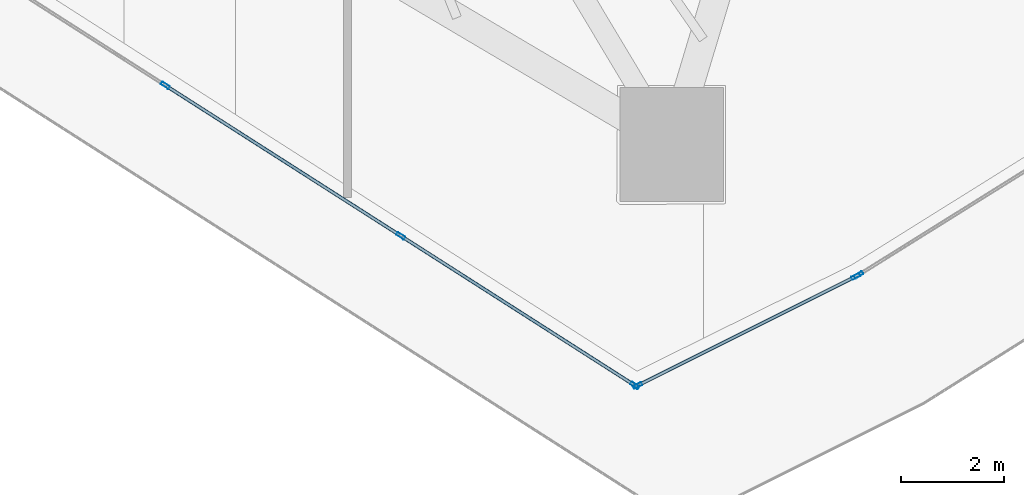
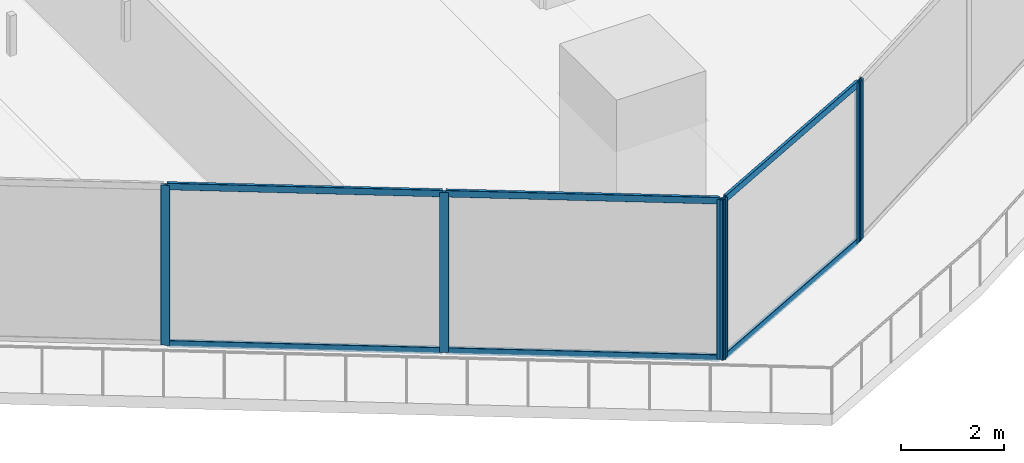
# One storey, part 7 of 38: 12 members, 3 elements without a shape of their own.
"""IFC4 building model written with IfcOpenShell, lengths in metres."""

from ifc_helpers import new_model, si_unit, direction, frame, origin, origin_2d, place, context, subcontext, project, spatial, hollow_rectangle, extrude, material, layer, layer_set, material_profile, profile_set, type_object, element, aggregate, save


model = new_model("IFC4")

# Units and contexts
model_context = context("Model", 3, precision=1e-05, world=origin(), true_north=direction((0.0, 1.0)))
body_context = subcontext(model_context, "Body", "Model", "MODEL_VIEW")
ifc_project = project(units=[si_unit("LENGTHUNIT", "METRE"), si_unit("AREAUNIT", "SQUARE_METRE"), si_unit("VOLUMEUNIT", "CUBIC_METRE"), si_unit("PLANEANGLEUNIT", "RADIAN"), si_unit("MASSUNIT", "GRAM", prefix="KILO")], contexts=[model_context])

# Site, building, storey
site_placement = place(None, origin())
site = spatial("IfcSite", under=ifc_project, at=site_placement, CompositionType="ELEMENT")
building_placement = place(site_placement, origin())
building = spatial("IfcBuilding", under=site, at=building_placement, Name="Qorvath Tower", CompositionType="ELEMENT")
storey_placement = place(building_placement, frame((0.0, 0.0, 146.25)))
storey = spatial("IfcBuildingStorey", under=building, at=storey_placement, Name="L33", CompositionType="ELEMENT", Elevation=146.25)

# Curtain wall, members
ifc_material_1 = material(Name="Anodised aluminium and triple low-E glass", Category="aluminium")
ifc_layer = layer(ifc_material_1, 0.179931640625)
ifc_layer_set = layer_set([ifc_layer], Name="CW-SYS-3")
curtain_wall_type = type_object("IfcCurtainWallType", Name="CW-SYS-3", PredefinedType="NOTDEFINED", material=ifc_layer_set)
curtain_wall_1_placement = place(storey_placement, origin())
curtain_wall_1 = element("IfcCurtainWall", 1, at=curtain_wall_1_placement, inside=storey, type_object=curtain_wall_type, Name="Curtain Wall CW-3 CW-T-L33-2.1", PredefinedType="NOTDEFINED")
ifc_material_2 = material(Name="Anodised aluminium 6063-T6", Category="aluminium")
ifc_material_profile_1 = material_profile(ifc_material_2, hollow_rectangle(XDim=0.06494140625, YDim=0.179931640625, WallThickness=0.00341796875, InnerFilletRadius=0.00341796875, OuterFilletRadius=0.007080078125, at=origin_2d()), Name="CWM 180x65")
ifc_profile_set_1 = profile_set([ifc_material_profile_1], Name="Anodised aluminium 6063-T6")
member_type_1 = type_object("IfcMemberType", Name="CWM-180", PredefinedType="MULLION", material=ifc_profile_set_1)
member_1_placement = place(storey_placement, frame((-25.12939453125, -24.099365234375, 0.0), z_axis=(0.0, 0.0, 1.0), x_axis=(0.53853296968, 0.842604438967, 0.0)))
member_1 = element("IfcMember", 2, at=member_1_placement, type_object=member_type_1, Name="CW-3 mullion 8", PredefinedType="MULLION", context=body_context, shape_type="SweptSolid", body=[
    extrude(hollow_rectangle(XDim=0.06494140625, YDim=0.179931640625, WallThickness=0.00341796875, InnerFilletRadius=0.00341796875, OuterFilletRadius=0.007080078125, at=origin_2d()), origin(), (0.0, 0.0, 1.0), 3.780029296875),
])
member_2_placement = place(storey_placement, frame((-20.57861328125, -27.008056640625, 0.0), z_axis=(0.0, 0.0, 1.0), x_axis=(0.53853296968, 0.842604438967, 0.0)))
member_2 = element("IfcMember", 3, at=member_2_placement, type_object=member_type_1, Name="CW-3 mullion 9", PredefinedType="MULLION", context=body_context, shape_type="SweptSolid", body=[
    extrude(hollow_rectangle(XDim=0.06494140625, YDim=0.179931640625, WallThickness=0.00341796875, InnerFilletRadius=0.00341796875, OuterFilletRadius=0.007080078125, at=origin_2d()), origin(), (0.0, 0.0, 1.0), 3.780029296875),
])
member_3_placement = place(storey_placement, frame((-16.05517578125, -29.89892578125, 0.0), z_axis=(0.0, 0.0, 1.0), x_axis=(0.53853296968, 0.842604438967, 0.0)))
member_3 = element("IfcMember", 4, at=member_3_placement, type_object=member_type_1, Name="CW-3 mullion 10", PredefinedType="MULLION", context=body_context, shape_type="SweptSolid", body=[
    extrude(hollow_rectangle(XDim=0.06494140625, YDim=0.179931640625, WallThickness=0.00341796875, InnerFilletRadius=0.00341796875, OuterFilletRadius=0.007080078125, at=origin_2d()), origin(), (0.0, 0.0, 1.0), 3.780029296875),
])

curtain_wall_2_placement = place(storey_placement, origin())
curtain_wall_2 = element("IfcCurtainWall", 5, at=curtain_wall_2_placement, inside=storey, type_object=curtain_wall_type, Name="Curtain Wall CW-3 CW-T-L33-3.1", PredefinedType="NOTDEFINED")
member_4_placement = place(storey_placement, frame((-15.998779296875, -29.90185546875, 0.0), z_axis=(0.0, 0.0, 1.0), x_axis=(-0.447171738712, 0.89444811817, 0.0)))
member_4 = element("IfcMember", 6, at=member_4_placement, type_object=member_type_1, Name="CW-3 mullion 1", PredefinedType="MULLION", context=body_context, shape_type="SweptSolid", body=[
    extrude(hollow_rectangle(XDim=0.06494140625, YDim=0.179931640625, WallThickness=0.00341796875, InnerFilletRadius=0.00341796875, OuterFilletRadius=0.007080078125, at=origin_2d()), origin(), (0.0, 0.0, 1.0), 3.780029296875),
])
member_5_placement = place(storey_placement, frame((-11.782958984375, -27.79443359375, 0.0), z_axis=(0.0, 0.0, 1.0), x_axis=(-0.447171738712, 0.89444811817, 0.0)))
member_5 = element("IfcMember", 7, at=member_5_placement, type_object=member_type_1, Name="CW-3 mullion 2", PredefinedType="MULLION", context=body_context, shape_type="SweptSolid", body=[
    extrude(hollow_rectangle(XDim=0.06494140625, YDim=0.179931640625, WallThickness=0.00341796875, InnerFilletRadius=0.00341796875, OuterFilletRadius=0.007080078125, at=origin_2d()), origin(), (0.0, 0.0, 1.0), 3.780029296875),
])

# Curtain wall, member
curtain_wall_3_placement = place(storey_placement, origin())
curtain_wall_3 = element("IfcCurtainWall", 8, at=curtain_wall_3_placement, inside=storey, type_object=curtain_wall_type, Name="Curtain Wall CW-3 CW-T-L33-4.1", PredefinedType="NOTDEFINED")
member_6_placement = place(storey_placement, frame((-11.726318359375, -27.7626953125, 0.0), z_axis=(0.0, 0.0, 1.0), x_axis=(-0.529441480387, 0.848346461563, 0.0)))
member_6 = element("IfcMember", 9, at=member_6_placement, type_object=member_type_1, Name="CW-3 mullion 1", PredefinedType="MULLION", context=body_context, shape_type="SweptSolid", body=[
    extrude(hollow_rectangle(XDim=0.06494140625, YDim=0.179931640625, WallThickness=0.00341796875, InnerFilletRadius=0.00341796875, OuterFilletRadius=0.007080078125, at=origin_2d()), origin(), (0.0, 0.0, 1.0), 3.780029296875),
])
aggregate(curtain_wall_3, [member_6])

# Member
ifc_material_3 = material(Name="Anodised aluminium 6063-T6", Category="aluminium")
ifc_material_profile_2 = material_profile(ifc_material_3, hollow_rectangle(XDim=0.06494140625, YDim=0.159912109375, WallThickness=0.00341796875, InnerFilletRadius=0.00341796875, OuterFilletRadius=0.007080078125, at=origin_2d()), Name="CWT 160x65")
ifc_profile_set_2 = profile_set([ifc_material_profile_2], Name="Anodised aluminium 6063-T6")
member_type_2 = type_object("IfcMemberType", Name="CWT-160", PredefinedType="USERDEFINED", material=ifc_profile_set_2)
member_7_placement = place(storey_placement, frame((-25.10205078125, -24.116943359375, 0.032470703125), z_axis=(0.842608601225, -0.538526457234, 0.0), x_axis=(0.538526457234, 0.842608601225, 0.0)))
member_7 = element("IfcMember", 10, at=member_7_placement, type_object=member_type_2, Name="CW-3 transom 8.1", ObjectType="TRANSOM", PredefinedType="USERDEFINED", context=body_context, shape_type="SweptSolid", body=[
    extrude(hollow_rectangle(XDim=0.06494140625, YDim=0.159912109375, WallThickness=0.00341796875, InnerFilletRadius=0.00341796875, OuterFilletRadius=0.007080078125, at=origin_2d()), origin(), (0.0, 0.0, 1.0), 5.3359375),
])

member_8_placement = place(storey_placement, frame((-25.10205078125, -24.116943359375, 3.74755859375), z_axis=(0.842608601225, -0.538526457234, 0.0), x_axis=(0.538526457234, 0.842608601225, 0.0)))
member_8 = element("IfcMember", 11, at=member_8_placement, type_object=member_type_2, Name="CW-3 transom 8.2", ObjectType="TRANSOM", PredefinedType="USERDEFINED", context=body_context, shape_type="SweptSolid", body=[
    extrude(hollow_rectangle(XDim=0.06494140625, YDim=0.159912109375, WallThickness=0.00341796875, InnerFilletRadius=0.00341796875, OuterFilletRadius=0.007080078125, at=origin_2d()), origin(), (0.0, 0.0, 1.0), 5.3359375),
])

member_9_placement = place(storey_placement, frame((-20.55126953125, -27.025390625, 0.032470703125), z_axis=(0.84259645993, -0.538545453711, 0.0), x_axis=(0.538545453711, 0.84259645993, 0.0)))
member_9 = element("IfcMember", 12, at=member_9_placement, type_object=member_type_2, Name="CW-3 transom 9.1", ObjectType="TRANSOM", PredefinedType="USERDEFINED", context=body_context, shape_type="SweptSolid", body=[
    extrude(hollow_rectangle(XDim=0.06494140625, YDim=0.159912109375, WallThickness=0.00341796875, InnerFilletRadius=0.00341796875, OuterFilletRadius=0.007080078125, at=origin_2d()), origin(), (0.0, 0.0, 1.0), 5.303466796875),
])

member_10_placement = place(storey_placement, frame((-20.55126953125, -27.025390625, 3.74755859375), z_axis=(0.84259645993, -0.538545453711, 0.0), x_axis=(0.538545453711, 0.84259645993, 0.0)))
member_10 = element("IfcMember", 13, at=member_10_placement, type_object=member_type_2, Name="CW-3 transom 9.2", ObjectType="TRANSOM", PredefinedType="USERDEFINED", context=body_context, shape_type="SweptSolid", body=[
    extrude(hollow_rectangle(XDim=0.06494140625, YDim=0.159912109375, WallThickness=0.00341796875, InnerFilletRadius=0.00341796875, OuterFilletRadius=0.007080078125, at=origin_2d()), origin(), (0.0, 0.0, 1.0), 5.303466796875),
])

aggregate(curtain_wall_1, [member_1, member_2, member_3, member_7, member_8, member_9, member_10])

member_11_placement = place(storey_placement, frame((-15.9697265625, -29.887451171875, 0.032470703125), z_axis=(0.894448198779, 0.447171577475, 0.0), x_axis=(-0.447171577475, 0.894448198779, 0.0)))
member_11 = element("IfcMember", 14, at=member_11_placement, type_object=member_type_2, Name="CW-3 transom 1.1", ObjectType="TRANSOM", PredefinedType="USERDEFINED", context=body_context, shape_type="SweptSolid", body=[
    extrude(hollow_rectangle(XDim=0.06494140625, YDim=0.159912109375, WallThickness=0.00341796875, InnerFilletRadius=0.00341796875, OuterFilletRadius=0.007080078125, at=origin_2d()), origin(), (0.0, 0.0, 1.0), 4.6484375),
])

member_12_placement = place(storey_placement, frame((-15.9697265625, -29.887451171875, 3.74755859375), z_axis=(0.894448198779, 0.447171577475, 0.0), x_axis=(-0.447171577475, 0.894448198779, 0.0)))
member_12 = element("IfcMember", 15, at=member_12_placement, type_object=member_type_2, Name="CW-3 transom 1.2", ObjectType="TRANSOM", PredefinedType="USERDEFINED", context=body_context, shape_type="SweptSolid", body=[
    extrude(hollow_rectangle(XDim=0.06494140625, YDim=0.159912109375, WallThickness=0.00341796875, InnerFilletRadius=0.00341796875, OuterFilletRadius=0.007080078125, at=origin_2d()), origin(), (0.0, 0.0, 1.0), 4.6484375),
])

aggregate(curtain_wall_2, [member_4, member_5, member_11, member_12])

save(model, "model.ifc")
